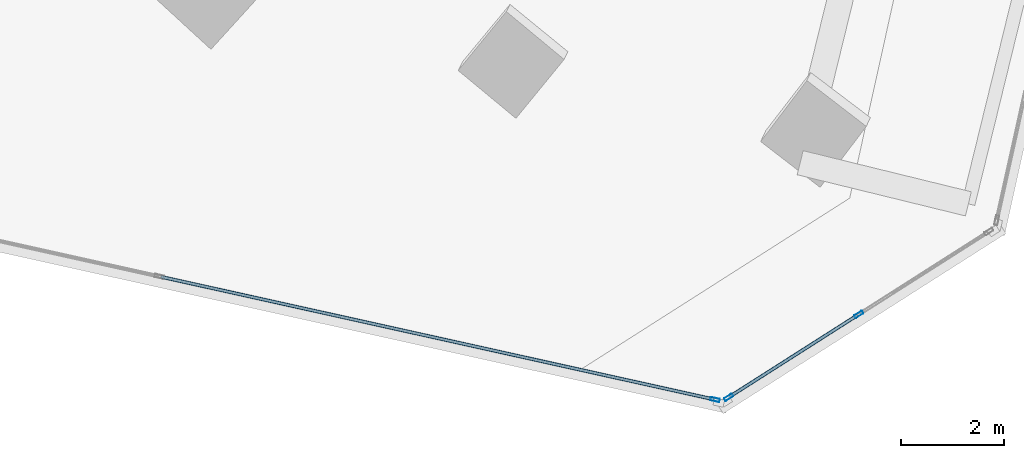
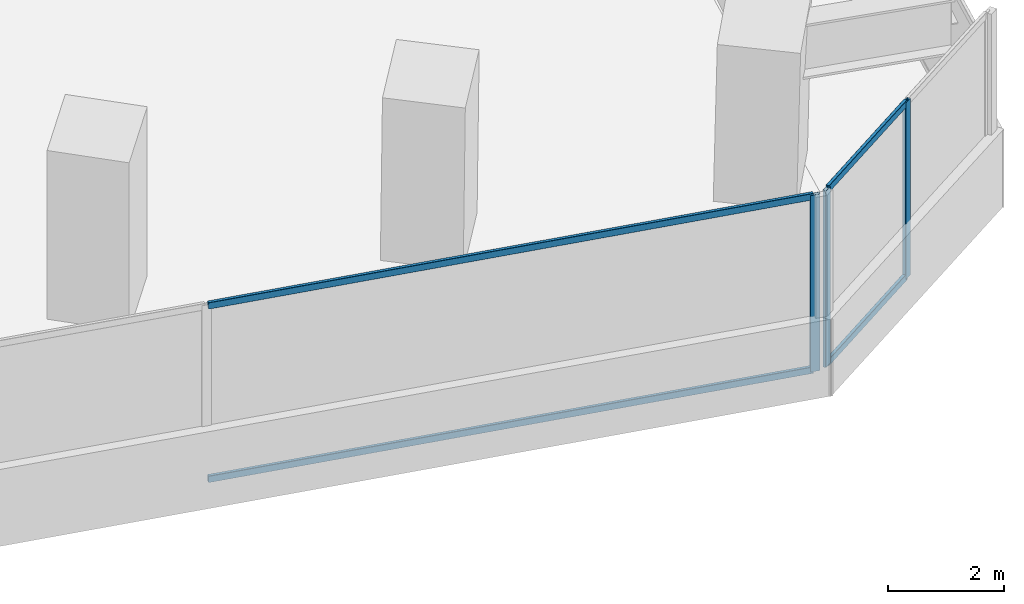
# One storey, part 9 of 25: 7 members, 2 elements without a shape of their own.
"""IFC4 building model written with IfcOpenShell, lengths in metres."""

from ifc_helpers import new_model, si_unit, direction, frame, origin, origin_2d, place, context, subcontext, project, spatial, hollow_rectangle, extrude, source, transform, mapped, material, material_profile, profile_set, type_object, element, aggregate, save


model = new_model("IFC4")

# Units and contexts
model_context = context("Model", 3, precision=1e-05, world=origin(), true_north=direction((0.0, 1.0)))
body_context = subcontext(model_context, "Body", "Model", "MODEL_VIEW")
ifc_project = project(units=[si_unit("LENGTHUNIT", "METRE"), si_unit("AREAUNIT", "SQUARE_METRE"), si_unit("VOLUMEUNIT", "CUBIC_METRE"), si_unit("PLANEANGLEUNIT", "RADIAN"), si_unit("MASSUNIT", "GRAM", prefix="KILO")], contexts=[model_context])

# Site, building, storey
site_placement = place(None, origin())
site = spatial("IfcSite", under=ifc_project, at=site_placement, CompositionType="ELEMENT")
building_placement = place(site_placement, origin())
building = spatial("IfcBuilding", under=site, at=building_placement, Name="Torre Montelarca", CompositionType="ELEMENT")
storey_placement = place(building_placement, frame((0.0, 0.0, 91.60009765625)))
storey = spatial("IfcBuildingStorey", under=building, at=storey_placement, Name="L20", CompositionType="ELEMENT", Elevation=91.60009765625)

# Curtain wall, members
ifc_material_1 = material(Name="Insulated low-E laminated glass", Category="glass")
curtain_wall_type = type_object("IfcCurtainWallType", Name="CW-SYS-Z1", PredefinedType="USERDEFINED", material=ifc_material_1)
curtain_wall_1_placement = place(storey_placement, origin())
curtain_wall_1 = element("IfcCurtainWall", 1, at=curtain_wall_1_placement, inside=storey, type_object=curtain_wall_type, Name="L20 Curtain Wall Run CW-T3-L20-E04-B1", ObjectType="UNITISED GLAZING", PredefinedType="USERDEFINED")
ifc_material_2 = material(Name="Anodised aluminium AA 6063-T6", Category="aluminium")
ifc_material_profile_1 = material_profile(ifc_material_2, hollow_rectangle(XDim=0.06494140625, YDim=0.139892578125, WallThickness=0.00390625, InnerFilletRadius=0.00390625, OuterFilletRadius=0.008056640625, at=origin_2d()), Name="ALU65X140X4", Category="aluminium")
ifc_profile_set_1 = profile_set([ifc_material_profile_1], Name="Anodised aluminium AA 6063-T6")
member_type_1 = type_object("IfcMemberType", Name="CWT-ALU140", PredefinedType="USERDEFINED", material=ifc_profile_set_1)
shared_shape_1 = source(origin(), body_context, "Body", "SweptSolid", [
    extrude(hollow_rectangle(XDim=0.06494140625, YDim=0.139892578125, WallThickness=0.00390625, InnerFilletRadius=0.00390625, OuterFilletRadius=0.008056640625, at=origin_2d()), origin(), (0.0, 0.0, 1.0), 10.94873046875),
])
member_1_placement = place(storey_placement, frame((44.62841796875, 12.87060546875, 0.032470703125), z_axis=(0.976298162359, -0.216429892055, 0.0), x_axis=(0.216429892055, 0.976298162359, 0.0)))
member_1 = element("IfcMember", 2, at=member_1_placement, type_object=member_type_1, Name="CW transom 2.1", ObjectType="TRANSOM", PredefinedType="USERDEFINED", context=body_context, shape_type="MappedRepresentation", body=[
    mapped(shared_shape_1, transform((0.0, 0.0, 0.0), scale=1.0)),
])
member_2_placement = place(storey_placement, frame((44.62841796875, 12.87060546875, 3.6875), z_axis=(0.976298162359, -0.216429892055, 0.0), x_axis=(0.216429892055, 0.976298162359, 0.0)))
member_2 = element("IfcMember", 3, at=member_2_placement, type_object=member_type_1, Name="CW transom 2.2", ObjectType="TRANSOM", PredefinedType="USERDEFINED", context=body_context, shape_type="MappedRepresentation", body=[
    mapped(shared_shape_1, transform((0.0, 0.0, 0.0), scale=1.0)),
])

curtain_wall_2_placement = place(storey_placement, origin())
curtain_wall_2 = element("IfcCurtainWall", 4, at=curtain_wall_2_placement, inside=storey, type_object=curtain_wall_type, Name="L20 Curtain Wall Run CW-T3-L20-E05-B1", ObjectType="UNITISED GLAZING", PredefinedType="USERDEFINED")
shared_shape_2 = source(origin(), body_context, "Body", "SweptSolid", [
    extrude(hollow_rectangle(XDim=0.06494140625, YDim=0.139892578125, WallThickness=0.00390625, InnerFilletRadius=0.00390625, OuterFilletRadius=0.008056640625, at=origin_2d()), origin(), (0.0, 0.0, 1.0), 2.918701171875),
])
member_3_placement = place(storey_placement, frame((55.6396484375, 10.5576171875, 0.032470703125), z_axis=(0.843351352958, 0.537362536342, 0.0), x_axis=(-0.537362536342, 0.843351352958, 0.0)))
member_3 = element("IfcMember", 5, at=member_3_placement, type_object=member_type_1, Name="CW transom 1.1", ObjectType="TRANSOM", PredefinedType="USERDEFINED", context=body_context, shape_type="MappedRepresentation", body=[
    mapped(shared_shape_2, transform((0.0, 0.0, 0.0), scale=1.0)),
])
member_4_placement = place(storey_placement, frame((55.6396484375, 10.5576171875, 3.6875), z_axis=(0.843351352958, 0.537362536342, 0.0), x_axis=(-0.537362536342, 0.843351352958, 0.0)))
member_4 = element("IfcMember", 6, at=member_4_placement, type_object=member_type_1, Name="CW transom 1.2", ObjectType="TRANSOM", PredefinedType="USERDEFINED", context=body_context, shape_type="MappedRepresentation", body=[
    mapped(shared_shape_2, transform((0.0, 0.0, 0.0), scale=1.0)),
])

# Member
ifc_material_profile_2 = material_profile(ifc_material_2, hollow_rectangle(XDim=0.06494140625, YDim=0.179931640625, WallThickness=0.00390625, InnerFilletRadius=0.00390625, OuterFilletRadius=0.008056640625, at=origin_2d()), Name="ALU65X180X4", Category="aluminium")
ifc_profile_set_2 = profile_set([ifc_material_profile_2], Name="Anodised aluminium AA 6063-T6")
member_type_2 = type_object("IfcMemberType", Name="CWM-ALU180", PredefinedType="MULLION", material=ifc_profile_set_2)
shared_shape_3 = source(origin(), body_context, "Body", "SweptSolid", [
    extrude(hollow_rectangle(XDim=0.06494140625, YDim=0.179931640625, WallThickness=0.00390625, InnerFilletRadius=0.00390625, OuterFilletRadius=0.008056640625, at=origin_2d()), origin(), (0.0, 0.0, 1.0), 3.719970703125),
])
member_5_placement = place(storey_placement, frame((55.349365234375, 10.493896484375, 0.0), z_axis=(0.0, 0.0, 1.0), x_axis=(0.216436780664, 0.976296635237, 0.0)))
member_5 = element("IfcMember", 7, at=member_5_placement, type_object=member_type_2, Name="CW mullion 3", PredefinedType="MULLION", context=body_context, shape_type="MappedRepresentation", body=[
    mapped(shared_shape_3, transform((0.0, 0.0, 0.0), scale=1.0)),
])

aggregate(curtain_wall_1, [member_5, member_1, member_2])

member_6_placement = place(storey_placement, frame((55.6123046875, 10.540283203125, 0.0), z_axis=(0.0, 0.0, 1.0), x_axis=(-0.537304483117, 0.843388340222, 0.0)))
member_6 = element("IfcMember", 8, at=member_6_placement, type_object=member_type_2, Name="CW mullion 1", PredefinedType="MULLION", context=body_context, shape_type="MappedRepresentation", body=[
    mapped(shared_shape_3, transform((0.0, 0.0, 0.0), scale=1.0)),
])

member_7_placement = place(storey_placement, frame((58.128662109375, 12.143310546875, 0.0), z_axis=(0.0, 0.0, 1.0), x_axis=(-0.537304483117, 0.843388340222, 0.0)))
member_7 = element("IfcMember", 9, at=member_7_placement, type_object=member_type_2, Name="CW mullion 2", PredefinedType="MULLION", context=body_context, shape_type="MappedRepresentation", body=[
    mapped(shared_shape_3, transform((0.0, 0.0, 0.0), scale=1.0)),
])

aggregate(curtain_wall_2, [member_6, member_7, member_3, member_4])

save(model, "model.ifc")
